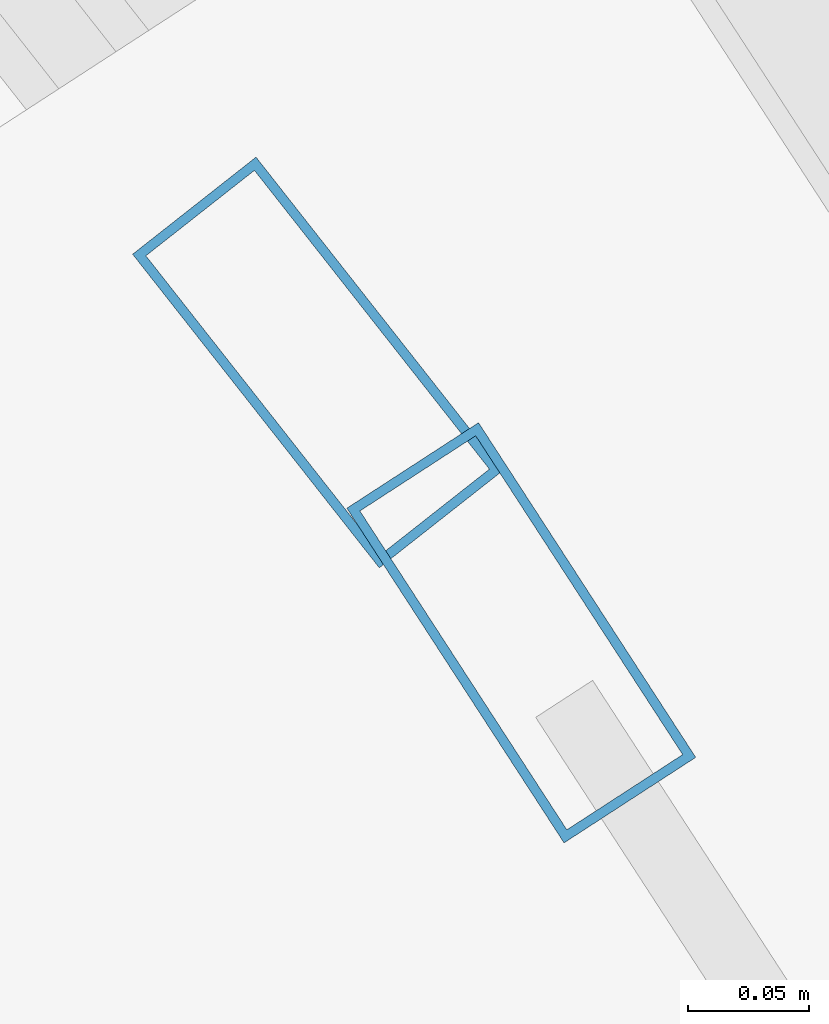
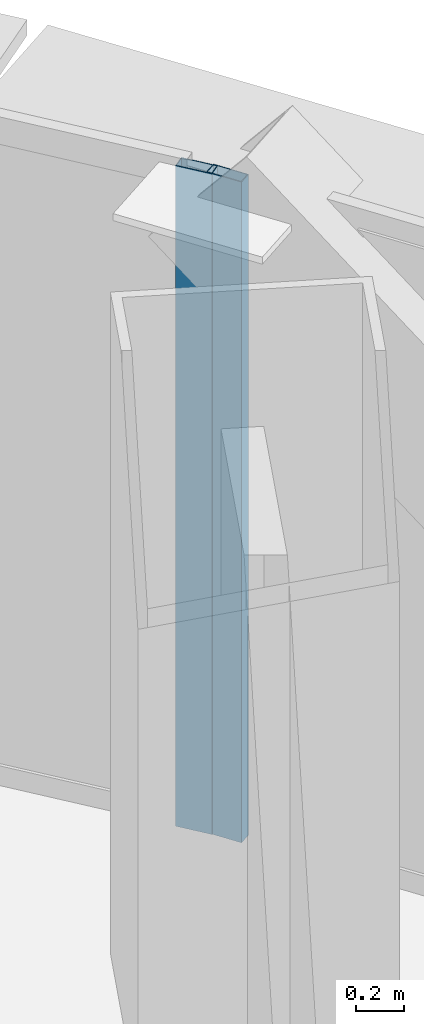
# One storey, part 20 of 37: 2 members, 2 elements without a shape of their own.
"""IFC4 building model written with IfcOpenShell, lengths in metres."""

from ifc_helpers import new_model, si_unit, direction, frame, origin, origin_2d, place, context, subcontext, project, spatial, hollow_rectangle, extrude, source, transform, mapped, material, layer, layer_set, material_profile, profile_set, type_object, element, aggregate, save


model = new_model("IFC4")

# Units and contexts
model_context = context("Model", 3, precision=1e-05, world=origin(), true_north=direction((0.0, 1.0)))
body_context = subcontext(model_context, "Body", "Model", "MODEL_VIEW")
ifc_project = project(units=[si_unit("LENGTHUNIT", "METRE"), si_unit("AREAUNIT", "SQUARE_METRE"), si_unit("VOLUMEUNIT", "CUBIC_METRE"), si_unit("PLANEANGLEUNIT", "RADIAN"), si_unit("MASSUNIT", "GRAM", prefix="KILO"), si_unit("THERMODYNAMICTEMPERATUREUNIT", "KELVIN"), si_unit("POWERUNIT", "WATT")], contexts=[model_context])

# Site, building, storey
site_placement = place(None, origin())
site = spatial("IfcSite", under=ifc_project, at=site_placement, CompositionType="ELEMENT")
building_placement = place(site_placement, origin())
building = spatial("IfcBuilding", under=site, at=building_placement, Name="Yunzhuo Pagoda Commons", CompositionType="ELEMENT")
storey_placement = place(building_placement, frame((0.0, 0.0, 59.43994140625)))
storey = spatial("IfcBuildingStorey", under=building, at=storey_placement, Name="L15", CompositionType="ELEMENT", Elevation=59.43994140625)

# Curtain wall, member
ifc_material = material(Name="Anodized aluminium 6063-T6", Category="aluminium")
ifc_layer = layer(ifc_material, 0.1650390625)
ifc_layer_set = layer_set([ifc_layer], Name="Anodized aluminium 6063-T6")
curtain_wall_type = type_object("IfcCurtainWallType", Name="CW-LOW Low-Zone Ribbon Curtain Wall", PredefinedType="NOTDEFINED", material=ifc_layer_set)
curtain_wall_1_placement = place(storey_placement, origin())
curtain_wall_1 = element("IfcCurtainWall", 1, at=curtain_wall_1_placement, inside=storey, type_object=curtain_wall_type, Name="L15 curtain wall CW-L15-F2B4", PredefinedType="NOTDEFINED")
ifc_material_profile = material_profile(ifc_material, hollow_rectangle(XDim=0.06494140625, YDim=0.1650390625, WallThickness=0.00390625, at=origin_2d()), Name="Anodized aluminium 6063-T6")
ifc_profile_set = profile_set([ifc_material_profile], Name="Anodized aluminium 6063-T6")
member_type = type_object("IfcMemberType", Name="CW-LOW-M Mullion RHS 165x65x4", PredefinedType="MULLION", material=ifc_profile_set)
shared_shape = source(origin(), body_context, "Body", "SweptSolid", [
    extrude(hollow_rectangle(XDim=0.06494140625, YDim=0.1650390625, WallThickness=0.00390625, at=origin_2d()), origin(), (0.0, 0.0, 1.0), 3.3701171875),
])
member_1_placement = place(storey_placement, frame((65.189453125, 72.240966796875, 0.0), z_axis=(0.0, 0.0, 1.0), x_axis=(-0.838776712394, -0.544475552018, 0.0)))
member_1 = element("IfcMember", 2, at=member_1_placement, type_object=member_type, Name="CW mullion 2", PredefinedType="MULLION", context=body_context, shape_type="MappedRepresentation", body=[
    mapped(shared_shape, transform((0.0, 0.0, 0.0), scale=1.0)),
])
aggregate(curtain_wall_1, [member_1])

curtain_wall_2_placement = place(storey_placement, origin())
curtain_wall_2 = element("IfcCurtainWall", 3, at=curtain_wall_2_placement, inside=storey, type_object=curtain_wall_type, Name="L15 curtain wall CW-L15-F2B5", PredefinedType="NOTDEFINED")
member_2_placement = place(storey_placement, frame((65.105224609375, 72.352783203125, 0.0), z_axis=(0.0, 0.0, 1.0), x_axis=(-0.785963833081, -0.618272474794, 0.0)))
member_2 = element("IfcMember", 4, at=member_2_placement, type_object=member_type, Name="CW mullion 1", PredefinedType="MULLION", context=body_context, shape_type="MappedRepresentation", body=[
    mapped(shared_shape, transform((0.0, 0.0, 0.0), scale=1.0)),
])
aggregate(curtain_wall_2, [member_2])

save(model, "model.ifc")
